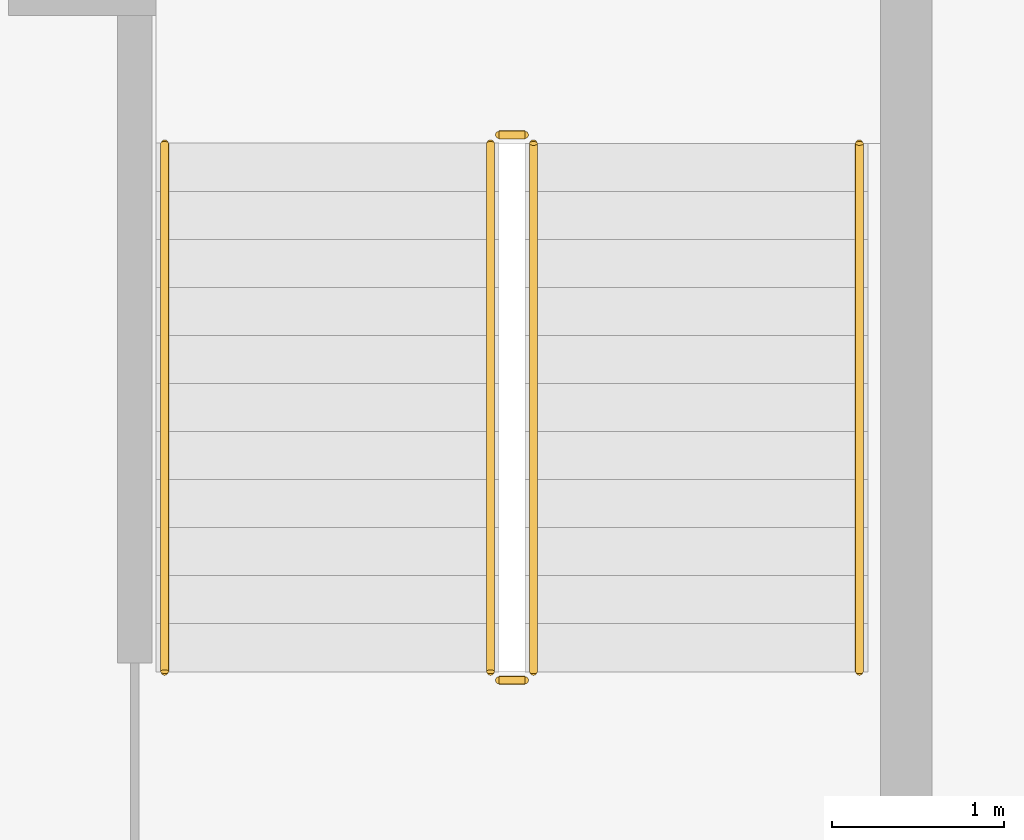
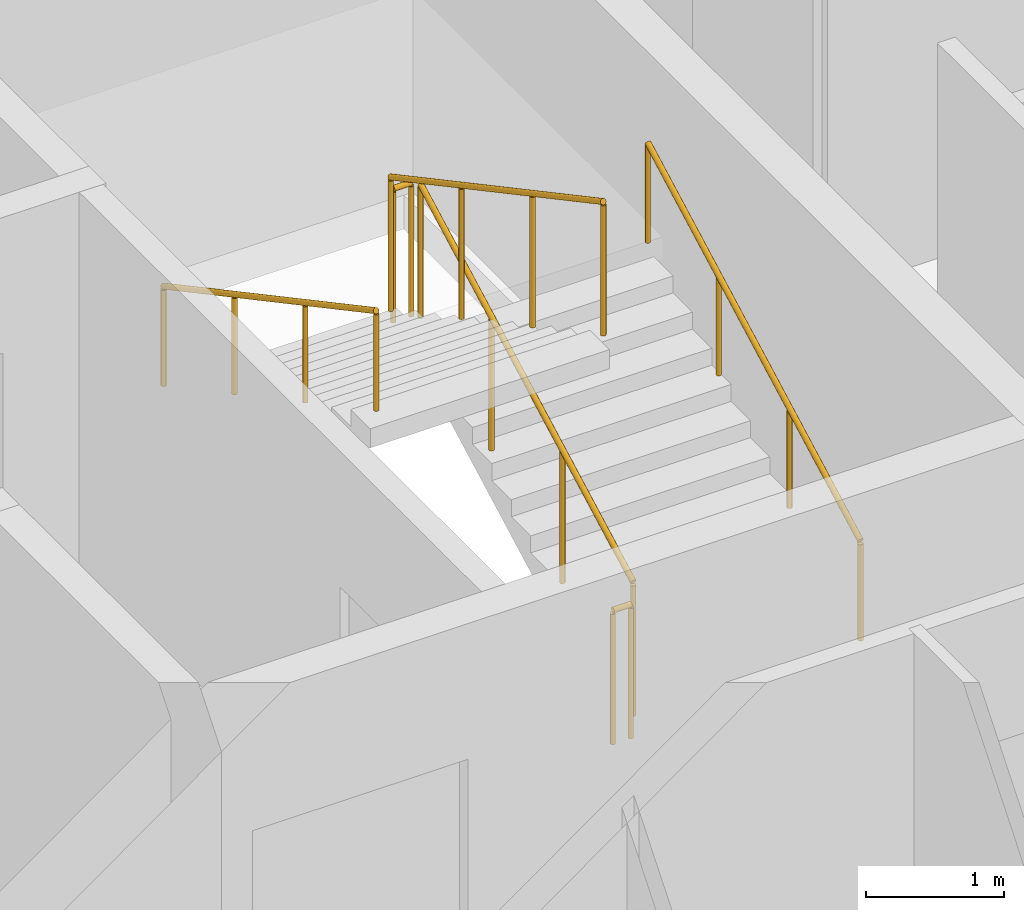
# One storey, part 14 of 14: 6 railings.
"""IFC4 building model written with IfcOpenShell, lengths in metres."""

import ifcopenshell
import ifcopenshell.guid

model = None  # the IFC model being written
_history = None  # IfcOwnerHistory: only IFC2X3 demands one
_inside = {}  # id of a spatial element -> (the spatial element, [elements in it])
_under = {}  # id of a project, library or spatial element -> (it, [spatial elements below it])
_declared = {}  # id of a project -> (the project, [libraries it declares])
_typed = {}  # id of a type object -> (the type object, [elements of that type])
_made_of = {}  # id of a material, layer set ... -> (it, [elements and type objects made of it])


def new_model(schema):
    """Start an empty IFC model of exactly this schema.

    Asked for "IFC4X3", IfcOpenShell would pick the latest addendum, in which some entities
    have other attributes; the version numbers below select the first issue.
    IFC2X3 requires an IfcOwnerHistory on every rooted entity: one is made here for all.
    """
    global model, _history
    if schema == "IFC4X3":
        model = ifcopenshell.file(schema_version=(4, 3, 0, 0))
    else:
        model = ifcopenshell.file(schema=schema)
    _inside.clear()
    _under.clear()
    _declared.clear()
    _typed.clear()
    _made_of.clear()
    _history = None
    if model.schema == "IFC2X3":
        org = make("IfcOrganization", Name="unknown")
        user = make(
            "IfcPersonAndOrganization",
            ThePerson=make("IfcPerson", FamilyName="unknown"),
            TheOrganization=org,
        )
        app = make(
            "IfcApplication",
            ApplicationDeveloper=org,
            Version="unknown",
            ApplicationFullName="unknown",
            ApplicationIdentifier="unknown",
        )
        _history = make(
            "IfcOwnerHistory",
            OwningUser=user,
            OwningApplication=app,
            ChangeAction="ADDED",
            CreationDate=0,
        )
    return model


def make(cls, **values):
    """One entity of the class cls with the attributes given. An attribute that is None is left unset."""
    return model.create_entity(
        cls, **{name: value for name, value in values.items() if value is not None}
    )


def rooted(cls, **values):
    """An entity with a GlobalId (a new one), such as an element, a storey or a relation."""
    return make(cls, GlobalId=ifcopenshell.guid.new(), OwnerHistory=_history, **values)


def si_unit(unit_type, name, prefix=None):
    """IfcSIUnit, for example si_unit("LENGTHUNIT", "METRE", prefix="MILLI")."""
    return make("IfcSIUnit", UnitType=unit_type, Prefix=prefix, Name=name)


def assignment(units):
    """IfcUnitAssignment: the units of a project."""
    return None if units is None else make("IfcUnitAssignment", Units=units)


def point(xyz):
    """IfcCartesianPoint."""
    return None if xyz is None else make("IfcCartesianPoint", Coordinates=xyz)


def direction(xyz):
    """IfcDirection."""
    return None if xyz is None else make("IfcDirection", DirectionRatios=xyz)


def frame(location, z_axis=None, x_axis=None):
    """IfcAxis2Placement3D, a coordinate frame: its origin and axes. An axis left out is left unset."""
    return make(
        "IfcAxis2Placement3D",
        Location=point(location),
        Axis=direction(z_axis),
        RefDirection=direction(x_axis),
    )


def frame_2d(location, x_axis=None):
    """IfcAxis2Placement2D, a coordinate frame in the plane: its origin and x axis."""
    return make(
        "IfcAxis2Placement2D", Location=point(location), RefDirection=direction(x_axis)
    )


def origin():
    """The frame at (0, 0, 0) with its axes left unset."""
    return frame((0.0, 0.0, 0.0))


def origin_2d():
    """The frame at (0, 0) in the plane with its x axis left unset."""
    return frame_2d((0.0, 0.0))


def place(relative_to, where):
    """IfcLocalPlacement: puts the frame where relative to a parent placement (None: the world)."""
    return make(
        "IfcLocalPlacement", PlacementRelTo=relative_to, RelativePlacement=where
    )


def context(
    kind, dimensions, precision=None, world=None, true_north=None, identifier=None
):
    """IfcGeometricRepresentationContext, for example the 3D "Model" context."""
    return make(
        "IfcGeometricRepresentationContext",
        ContextIdentifier=identifier,
        ContextType=kind,
        CoordinateSpaceDimension=dimensions,
        Precision=precision,
        WorldCoordinateSystem=world,
        TrueNorth=true_north,
    )


def subcontext(parent, identifier, kind, view, scale=None):
    """IfcGeometricRepresentationSubContext, for example "Body" below "Model"."""
    return make(
        "IfcGeometricRepresentationSubContext",
        ContextIdentifier=identifier,
        ContextType=kind,
        ParentContext=parent,
        TargetScale=scale,
        TargetView=view,
    )


def project(units=None, contexts=None):
    """IfcProject with its units and contexts."""
    return rooted(
        "IfcProject",
        Name="project",
        RepresentationContexts=contexts,
        UnitsInContext=assignment(units),
    )


def spatial(cls, under=None, at=None, **own):
    """A site, building, storey or space (cls), placed at a placement, below another one or the project."""
    s = rooted(cls, ObjectPlacement=at, **own)
    if under is not None:
        _under.setdefault(under.id(), (under, []))[1].append(s)
    return s


def profile(cls, at=None, kind="AREA", **sizes):
    """A parametric profile (cls). Its sizes go by their IFC names, for example OverallWidth=200.0."""
    return make(cls, ProfileType=kind, Position=at, **sizes)


def circle(**sizes):
    """IfcCircleProfileDef."""
    return profile("IfcCircleProfileDef", **sizes)


def extrude(swept, where, along, depth):
    """IfcExtrudedAreaSolid: the profile swept, set in the frame where, extruded along a direction by depth."""
    return make(
        "IfcExtrudedAreaSolid",
        SweptArea=swept,
        Position=where,
        ExtrudedDirection=direction(along),
        Depth=depth,
    )


def shape(context_of_items, identifier, shape_type, items):
    """IfcShapeRepresentation: the items that make up one representation, for example the "Body"."""
    return make(
        "IfcShapeRepresentation",
        ContextOfItems=context_of_items,
        RepresentationIdentifier=identifier,
        RepresentationType=shape_type,
        Items=items,
    )


def material(Name=None, Category=None):
    """IfcMaterial."""
    return make("IfcMaterial", Name=Name, Category=Category)


def made_of(thing, what):
    """Note that an element or type object is made of a material, layer set ...; save() writes the relation."""
    if what is not None:
        _made_of.setdefault(what.id(), (what, []))[1].append(thing)
    return thing


def type_object(cls, material=None, **own):
    """A type object (cls), such as IfcWallType, which elements share."""
    return made_of(rooted(cls, **own), material)


def element(
    cls,
    number,
    at=None,
    inside=None,
    cuts=None,
    type_object=None,
    material=None,
    context=None,
    identifier="Body",
    shape_type=None,
    held_by="IfcProductDefinitionShape",
    body=None,
    shapes=None,
    **own,
):
    """One element of the class cls, such as IfcWall. Its Tag is "e" and its number.

    at: its placement. inside: the storey or other place that contains it. cuts: it is an
    opening in that element (IfcRelVoidsElement). A single representation is given by context,
    identifier, shape_type and body (its items); several are given by shapes. held_by: the class
    of the entity that holds the representations. save() writes the other relations.
    """
    e = rooted(cls, Tag="e%d" % number, ObjectPlacement=at, **own)
    if body is not None:
        shapes = [shape(context, identifier, shape_type, body)]
    if shapes is not None:
        e.Representation = make(held_by, Representations=shapes)
    if inside is not None:
        _inside.setdefault(inside.id(), (inside, []))[1].append(e)
    if cuts is not None:
        rooted(
            "IfcRelVoidsElement", RelatingBuildingElement=cuts, RelatedOpeningElement=e
        )
    if type_object is not None:
        _typed.setdefault(type_object.id(), (type_object, []))[1].append(e)
    return made_of(e, material)


def aggregate(whole, parts):
    """IfcRelAggregates: a whole, such as a stair, and the parts it consists of."""
    return rooted("IfcRelAggregates", RelatingObject=whole, RelatedObjects=parts)


def save(model, path):
    """Write the relations noted so far, then the file.

    IfcRelAggregates (storeys below a building ...), IfcRelContainedInSpatialStructure (elements
    in a storey), IfcRelDefinesByType, IfcRelAssociatesMaterial and IfcRelDeclares: one each for
    every whole, place, type object, material and project.
    """
    for whole, parts in _under.values():
        aggregate(whole, parts)
    for where, things in _inside.values():
        rooted(
            "IfcRelContainedInSpatialStructure",
            RelatedElements=things,
            RelatingStructure=where,
        )
    for kind, things in _typed.values():
        rooted("IfcRelDefinesByType", RelatedObjects=things, RelatingType=kind)
    for what, things in _made_of.values():
        rooted("IfcRelAssociatesMaterial", RelatedObjects=things, RelatingMaterial=what)
    for by, libraries in _declared.values():
        rooted("IfcRelDeclares", RelatingContext=by, RelatedDefinitions=libraries)
    model.write(path)


model = new_model("IFC4")

# Units and contexts
model_context = context("Model", 3, precision=1e-05, world=origin(), true_north=direction((0.0, 1.0)))
body_context = subcontext(model_context, "Body", "Model", "MODEL_VIEW")
ifc_project = project(units=[si_unit("LENGTHUNIT", "METRE"), si_unit("AREAUNIT", "SQUARE_METRE"), si_unit("VOLUMEUNIT", "CUBIC_METRE"), si_unit("PLANEANGLEUNIT", "RADIAN"), si_unit("MASSUNIT", "GRAM", prefix="KILO")], contexts=[model_context])

# Site, building, storey
site_placement = place(None, origin())
site = spatial("IfcSite", under=ifc_project, at=site_placement, CompositionType="ELEMENT")
building_placement = place(site_placement, origin())
building = spatial("IfcBuilding", under=site, at=building_placement, Name="Caravel Reach Hotel and Residences", CompositionType="ELEMENT")
storey_placement = place(building_placement, frame((0.0, 0.0, 88.800048828125)))
storey = spatial("IfcBuildingStorey", under=building, at=storey_placement, Name="L21", CompositionType="ELEMENT", Elevation=88.800048828125)

# Railings
ifc_material_1 = material(Name="Steel balustrade with glass infill", Category="steel")
railing_type_1 = type_object("IfcRailingType", Name="Guard 1200", PredefinedType="GUARDRAIL", material=ifc_material_1)
railing_1_placement = place(storey_placement, frame((42.824951171875, 24.64990234375, 0.14990234375)))
element("IfcRailing", 1, at=railing_1_placement, inside=storey, type_object=railing_type_1, Name="L21 ST-B stair guard 1", PredefinedType="GUARDRAIL", context=body_context, shape_type="SweptSolid", body=[
    extrude(circle(Radius=0.02392578125, at=origin_2d()), frame((0.0, 0.0, 1.17578125), z_axis=(0.0, 0.881467505477, 0.472244678941), x_axis=(-1.0, 0.0, 0.0)), (0.0, 0.0, 1.0), 3.494140625),
    extrude(circle(Radius=0.02099609375, at=origin_2d()), origin(), (0.0, 0.0, 1.0), 1.15185546875),
    extrude(circle(Radius=0.02099609375, at=origin_2d()), frame((0.0, 1.026611328125, 0.550048828125)), (0.0, 0.0, 1.0), 1.15185546875),
    extrude(circle(Radius=0.02099609375, at=origin_2d()), frame((0.0, 2.053466796875, 1.10009765625)), (0.0, 0.0, 1.0), 1.15185546875),
    extrude(circle(Radius=0.02099609375, at=origin_2d()), frame((0.0, 3.080078125, 1.650146484375)), (0.0, 0.0, 1.0), 1.15185546875),
])
railing_2_placement = place(storey_placement, frame((42.77490234375, 27.780029296875, 1.800048828125)))
element("IfcRailing", 2, at=railing_2_placement, inside=storey, type_object=railing_type_1, Name="L21 ST-B stair guard 2", PredefinedType="GUARDRAIL", context=body_context, shape_type="SweptSolid", body=[
    extrude(circle(Radius=0.02392578125, at=origin_2d()), frame((0.0, 0.0, 1.17578125), z_axis=(-1.0, 0.0, 0.0), x_axis=(0.0, -1.0, 0.0)), (0.0, 0.0, 1.0), 0.14990234375),
    extrude(circle(Radius=0.02099609375, at=origin_2d()), origin(), (0.0, 0.0, 1.0), 1.15185546875),
    extrude(circle(Radius=0.02099609375, at=origin_2d()), frame((-0.14990234375, 0.0, 0.0)), (0.0, 0.0, 1.0), 1.15185546875),
])
railing_3_placement = place(storey_placement, frame((42.574951171875, 27.72998046875, 1.949951171875)))
element("IfcRailing", 3, at=railing_3_placement, inside=storey, type_object=railing_type_1, Name="L21 ST-B stair guard 3", PredefinedType="GUARDRAIL", context=body_context, shape_type="SweptSolid", body=[
    extrude(circle(Radius=0.02392578125, at=origin_2d()), frame((0.0, 0.0, 1.17578125), z_axis=(0.0, -0.881496589024, 0.472190389079), x_axis=(1.0, 0.0, 0.0)), (0.0, 0.0, 1.0), 3.494140625),
    extrude(circle(Radius=0.02099609375, at=origin_2d()), origin(), (0.0, 0.0, 1.0), 1.15185546875),
    extrude(circle(Radius=0.02099609375, at=origin_2d()), frame((0.0, -1.026611328125, 0.550048828125)), (0.0, 0.0, 1.0), 1.15185546875),
    extrude(circle(Radius=0.02099609375, at=origin_2d()), frame((0.0, -2.053466796875, 1.099853515625)), (0.0, 0.0, 1.0), 1.15185546875),
    extrude(circle(Radius=0.02099609375, at=origin_2d()), frame((0.0, -3.080078125, 1.64990234375)), (0.0, 0.0, 1.0), 1.15185546875),
])
railing_4_placement = place(storey_placement, frame((42.77490234375, 24.60009765625, 0.0)))
element("IfcRailing", 4, at=railing_4_placement, inside=storey, type_object=railing_type_1, Name="L21 ST-B stair guard 4", PredefinedType="GUARDRAIL", context=body_context, shape_type="SweptSolid", body=[
    extrude(circle(Radius=0.02392578125, at=origin_2d()), frame((0.0, 0.0, 1.17578125), z_axis=(-1.0, 0.0, 0.0), x_axis=(0.0, -1.0, 0.0)), (0.0, 0.0, 1.0), 0.14990234375),
    extrude(circle(Radius=0.02099609375, at=origin_2d()), origin(), (0.0, 0.0, 1.0), 1.15185546875),
    extrude(circle(Radius=0.02099609375, at=origin_2d()), frame((-0.14990234375, 0.0, 0.0)), (0.0, 0.0, 1.0), 1.15185546875),
])
ifc_material_2 = material(Name="Stainless steel handrail", Category="steel")
railing_type_2 = type_object("IfcRailingType", Name="Handrail 900", PredefinedType="HANDRAIL", material=ifc_material_2)
railing_5_placement = place(storey_placement, frame((44.72509765625, 24.64990234375, 0.14990234375)))
element("IfcRailing", 5, at=railing_5_placement, inside=storey, type_object=railing_type_2, Name="L21 ST-B stair handrail 1", PredefinedType="HANDRAIL", context=body_context, shape_type="SweptSolid", body=[
    extrude(circle(Radius=0.02392578125, at=origin_2d()), frame((0.0, 0.0, 0.8759765625), z_axis=(0.0, 0.881467505477, 0.472244678941), x_axis=(-1.0, 0.0, 0.0)), (0.0, 0.0, 1.0), 3.494140625),
    extrude(circle(Radius=0.02099609375, at=origin_2d()), origin(), (0.0, 0.0, 1.0), 0.851806640625),
    extrude(circle(Radius=0.02099609375, at=origin_2d()), frame((0.0, 1.026611328125, 0.550048828125)), (0.0, 0.0, 1.0), 0.851806640625),
    extrude(circle(Radius=0.02099609375, at=origin_2d()), frame((0.0, 2.053466796875, 1.10009765625)), (0.0, 0.0, 1.0), 0.851806640625),
    extrude(circle(Radius=0.02099609375, at=origin_2d()), frame((0.0, 3.080078125, 1.650146484375)), (0.0, 0.0, 1.0), 0.851806640625),
])
railing_6_placement = place(storey_placement, frame((40.675048828125, 27.72998046875, 1.949951171875)))
element("IfcRailing", 6, at=railing_6_placement, inside=storey, type_object=railing_type_2, Name="L21 ST-B stair handrail 2", PredefinedType="HANDRAIL", context=body_context, shape_type="SweptSolid", body=[
    extrude(circle(Radius=0.02392578125, at=origin_2d()), frame((0.0, 0.0, 0.8759765625), z_axis=(0.0, -0.881496589024, 0.472190389079), x_axis=(1.0, 0.0, 0.0)), (0.0, 0.0, 1.0), 3.494140625),
    extrude(circle(Radius=0.02099609375, at=origin_2d()), origin(), (0.0, 0.0, 1.0), 0.851806640625),
    extrude(circle(Radius=0.02099609375, at=origin_2d()), frame((0.0, -1.026611328125, 0.550048828125)), (0.0, 0.0, 1.0), 0.851806640625),
    extrude(circle(Radius=0.02099609375, at=origin_2d()), frame((0.0, -2.053466796875, 1.099853515625)), (0.0, 0.0, 1.0), 0.851806640625),
    extrude(circle(Radius=0.02099609375, at=origin_2d()), frame((0.0, -3.080078125, 1.64990234375)), (0.0, 0.0, 1.0), 0.851806640625),
])

save(model, "model.ifc")
